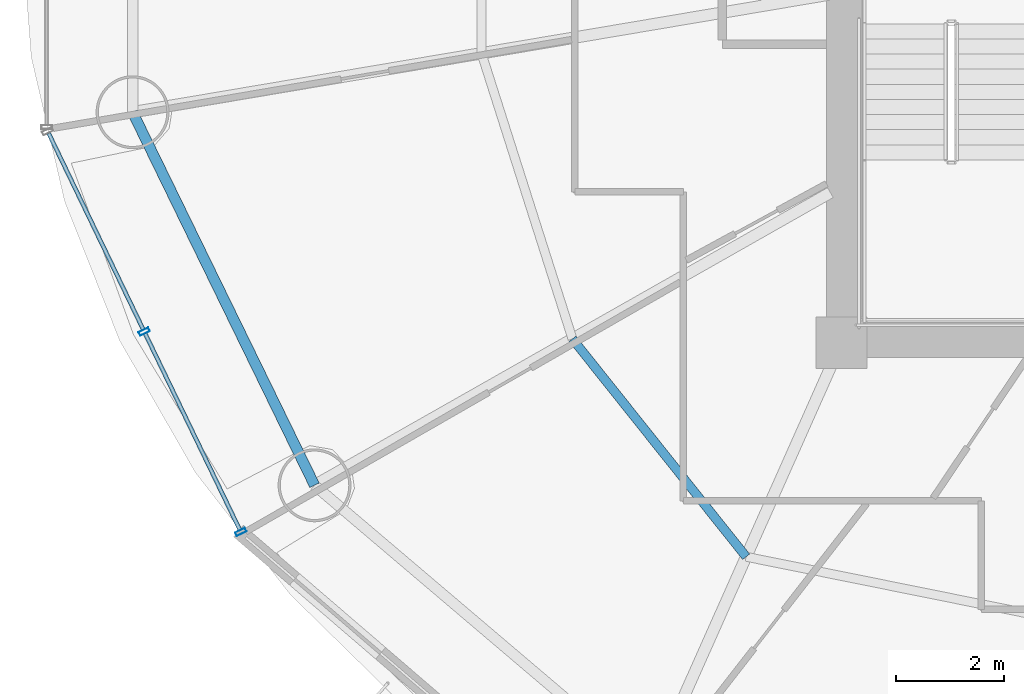
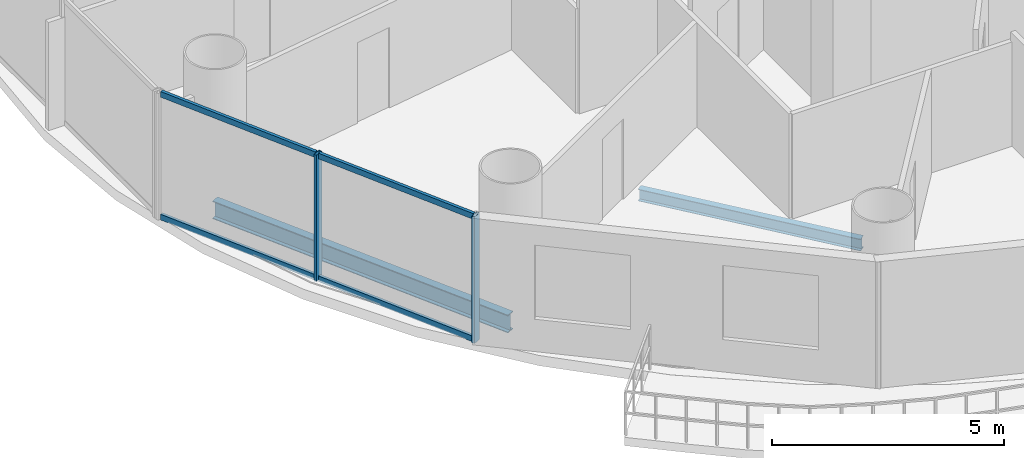
# One storey, part 2 of 26: 6 members, 2 beams, 1 element without a shape of its own.
"""IFC4 building model written with IfcOpenShell, lengths in metres."""

from ifc_helpers import new_model, si_unit, direction, frame, origin, origin_2d, place, context, subcontext, project, spatial, hollow_rectangle, i_section, extrude, source, transform, mapped, material, material_profile, profile_set, type_object, element, aggregate, save


model = new_model("IFC4")

# Units and contexts
model_context = context("Model", 3, precision=1e-05, world=origin(), true_north=direction((-0.2419218956, 0.970295726276)))
body_context = subcontext(model_context, "Body", "Model", "MODEL_VIEW")
ifc_project = project(units=[si_unit("LENGTHUNIT", "METRE"), si_unit("AREAUNIT", "SQUARE_METRE"), si_unit("VOLUMEUNIT", "CUBIC_METRE"), si_unit("PLANEANGLEUNIT", "RADIAN"), si_unit("MASSUNIT", "GRAM", prefix="KILO")], contexts=[model_context])

# Site, building, storey
site_placement = place(None, origin())
site = spatial("IfcSite", under=ifc_project, at=site_placement, CompositionType="ELEMENT")
building_placement = place(site_placement, origin())
building = spatial("IfcBuilding", under=site, at=building_placement, Name="Cobrevalo Terracotta Tower", CompositionType="ELEMENT")
storey_placement = place(building_placement, frame((0.0, 0.0, 175.0)))
storey = spatial("IfcBuildingStorey", under=building, at=storey_placement, Name="L46", CompositionType="ELEMENT", Elevation=175.0)

# Beams
ifc_material_1 = material(Name="Steel S355", Category="steel")
ifc_material_profile_1 = material_profile(ifc_material_1, i_section(OverallWidth=0.1650390625, OverallDepth=0.31005859375, WebThickness=0.005859375, FlangeThickness=0.009765625, at=origin_2d()), Name="W 310x38.7")
ifc_profile_set_1 = profile_set([ifc_material_profile_1], Name="Steel S355")
beam_type_1 = type_object("IfcBeamType", Name="Structural Joist W 310x38.7 (Steel S355)", PredefinedType="JOIST", material=ifc_profile_set_1)
beam_1_placement = place(storey_placement, frame((24.022705078125, 18.868896484375, -0.425048828125), z_axis=(0.623382939397, -0.781916690492, 0.0), x_axis=(0.781916690492, 0.623382939397, 0.0)))
element("IfcBeam", 1, at=beam_1_placement, inside=storey, type_object=beam_type_1, Name="L46 circumferential secondary floor joist 10", PredefinedType="JOIST", context=body_context, shape_type="SweptSolid", body=[
    extrude(i_section(OverallWidth=0.1650390625, OverallDepth=0.31005859375, WebThickness=0.005859375, FlangeThickness=0.009765625, at=origin_2d()), origin(), (0.0, 0.0, 1.0), 5.154296875),
])
ifc_material_profile_2 = material_profile(ifc_material_1, i_section(OverallWidth=0.194091796875, OverallDepth=0.468994140625, WebThickness=0.011474609375, FlangeThickness=0.0205078125, at=origin_2d()), Name="W 460x106")
ifc_profile_set_2 = profile_set([ifc_material_profile_2], Name="Steel S355")
beam_type_2 = type_object("IfcBeamType", Name="Structural Spandrel W 460x106 (Steel S355)", PredefinedType="SPANDREL", material=ifc_profile_set_2)
beam_2_placement = place(storey_placement, frame((15.88330078125, 23.06396484375, -0.50439453125), z_axis=(0.438380418332, -0.898789524206, 0.0), x_axis=(0.898789524206, 0.438380418332, 0.0)))
element("IfcBeam", 2, at=beam_2_placement, inside=storey, type_object=beam_type_2, Name="L46 perimeter ring spandrel 09", PredefinedType="SPANDREL", context=body_context, shape_type="SweptSolid", body=[
    extrude(i_section(OverallWidth=0.194091796875, OverallDepth=0.468994140625, WebThickness=0.011474609375, FlangeThickness=0.0205078125, at=origin_2d()), origin(), (0.0, 0.0, 1.0), 7.680419921875),
])

# Curtain wall, members
ifc_material_2 = material(Name="Anodized aluminium", Category="aluminium")
curtain_wall_type = type_object("IfcCurtainWallType", Name="Mid-tower high-wind unitised curtain wall CW-U2", PredefinedType="NOTDEFINED", material=ifc_material_2)
curtain_wall_placement = place(storey_placement, origin())
curtain_wall = element("IfcCurtainWall", 3, at=curtain_wall_placement, inside=storey, type_object=curtain_wall_type, Name="L46 curtain wall CW-L46-S09", PredefinedType="NOTDEFINED")
ifc_material_profile_3 = material_profile(ifc_material_2, hollow_rectangle(XDim=0.074951171875, YDim=0.199951171875, WallThickness=0.0048828125, at=origin_2d()), Name="CWM 75x200")
ifc_profile_set_3 = profile_set([ifc_material_profile_3], Name="Anodized aluminium")
member_type_1 = type_object("IfcMemberType", Name="Lower/mid tower unitised mullion 75x200", PredefinedType="MULLION", material=ifc_profile_set_3)
shared_shape_1 = source(origin(), body_context, "Body", "SweptSolid", [
    extrude(hollow_rectangle(XDim=0.074951171875, YDim=0.199951171875, WallThickness=0.0048828125, at=origin_2d()), origin(), (0.0, 0.0, 1.0), 3.330078125),
])
member_1_placement = place(storey_placement, frame((16.098876953125, 19.00439453125, 0.0), z_axis=(0.0, 0.0, 1.0), x_axis=(0.434209440271, -0.900811945957, 0.0)))
member_1 = element("IfcMember", 4, at=member_1_placement, type_object=member_type_1, Name="CW-L46-S09 vertical mullion 02", PredefinedType="MULLION", context=body_context, shape_type="MappedRepresentation", body=[
    mapped(shared_shape_1, transform((0.0, 0.0, 0.0), scale=1.0)),
])
member_2_placement = place(storey_placement, frame((17.885986328125, 15.296875, 0.0), z_axis=(0.0, 0.0, 1.0), x_axis=(0.434209440271, -0.900811945957, 0.0)))
member_2 = element("IfcMember", 5, at=member_2_placement, type_object=member_type_1, Name="CW-L46-S09 vertical mullion 03", PredefinedType="MULLION", context=body_context, shape_type="MappedRepresentation", body=[
    mapped(shared_shape_1, transform((0.0, 0.0, 0.0), scale=1.0)),
])
ifc_material_profile_4 = material_profile(ifc_material_2, hollow_rectangle(XDim=0.074951171875, YDim=0.14990234375, WallThickness=0.00439453125, at=origin_2d()), Name="CWT 75x150")
ifc_profile_set_4 = profile_set([ifc_material_profile_4], Name="Anodized aluminium")
member_type_2 = type_object("IfcMemberType", Name="Tower unitised aluminium transom 75x150", PredefinedType="USERDEFINED", material=ifc_profile_set_4)
shared_shape_2 = source(origin(), body_context, "Body", "SweptSolid", [
    extrude(hollow_rectangle(XDim=0.074951171875, YDim=0.14990234375, WallThickness=0.00439453125, at=origin_2d()), origin(), (0.0, 0.0, 1.0), 4.035888671875),
])
member_3_placement = place(storey_placement, frame((14.3291015625, 22.676025390625, 0.050048828125), z_axis=(0.434221176581, -0.900806288726, 0.0), x_axis=(0.900806288726, 0.434221176581, 0.0)))
member_3 = element("IfcMember", 6, at=member_3_placement, type_object=member_type_2, Name="CW-L46-S09 transom B01-T1", ObjectType="TRANSOM", PredefinedType="USERDEFINED", context=body_context, shape_type="MappedRepresentation", body=[
    mapped(shared_shape_2, transform((0.0, 0.0, 0.0), scale=1.0)),
])
member_4_placement = place(storey_placement, frame((14.3291015625, 22.676025390625, 3.280029296875), z_axis=(0.434221176581, -0.900806288726, 0.0), x_axis=(0.900806288726, 0.434221176581, 0.0)))
member_4 = element("IfcMember", 7, at=member_4_placement, type_object=member_type_2, Name="CW-L46-S09 transom B01-T2", ObjectType="TRANSOM", PredefinedType="USERDEFINED", context=body_context, shape_type="MappedRepresentation", body=[
    mapped(shared_shape_2, transform((0.0, 0.0, 0.0), scale=1.0)),
])
member_5_placement = place(storey_placement, frame((16.1162109375, 18.96826171875, 0.050048828125), z_axis=(0.434221176581, -0.900806288726, 0.0), x_axis=(0.900806288726, 0.434221176581, 0.0)))
member_5 = element("IfcMember", 8, at=member_5_placement, type_object=member_type_2, Name="CW-L46-S09 transom B02-T1", ObjectType="TRANSOM", PredefinedType="USERDEFINED", context=body_context, shape_type="MappedRepresentation", body=[
    mapped(shared_shape_2, transform((0.0, 0.0, 0.0), scale=1.0)),
])
member_6_placement = place(storey_placement, frame((16.1162109375, 18.96826171875, 3.280029296875), z_axis=(0.434221176581, -0.900806288726, 0.0), x_axis=(0.900806288726, 0.434221176581, 0.0)))
member_6 = element("IfcMember", 9, at=member_6_placement, type_object=member_type_2, Name="CW-L46-S09 transom B02-T2", ObjectType="TRANSOM", PredefinedType="USERDEFINED", context=body_context, shape_type="MappedRepresentation", body=[
    mapped(shared_shape_2, transform((0.0, 0.0, 0.0), scale=1.0)),
])
aggregate(curtain_wall, [member_1, member_2, member_3, member_4, member_5, member_6])

save(model, "model.ifc")
